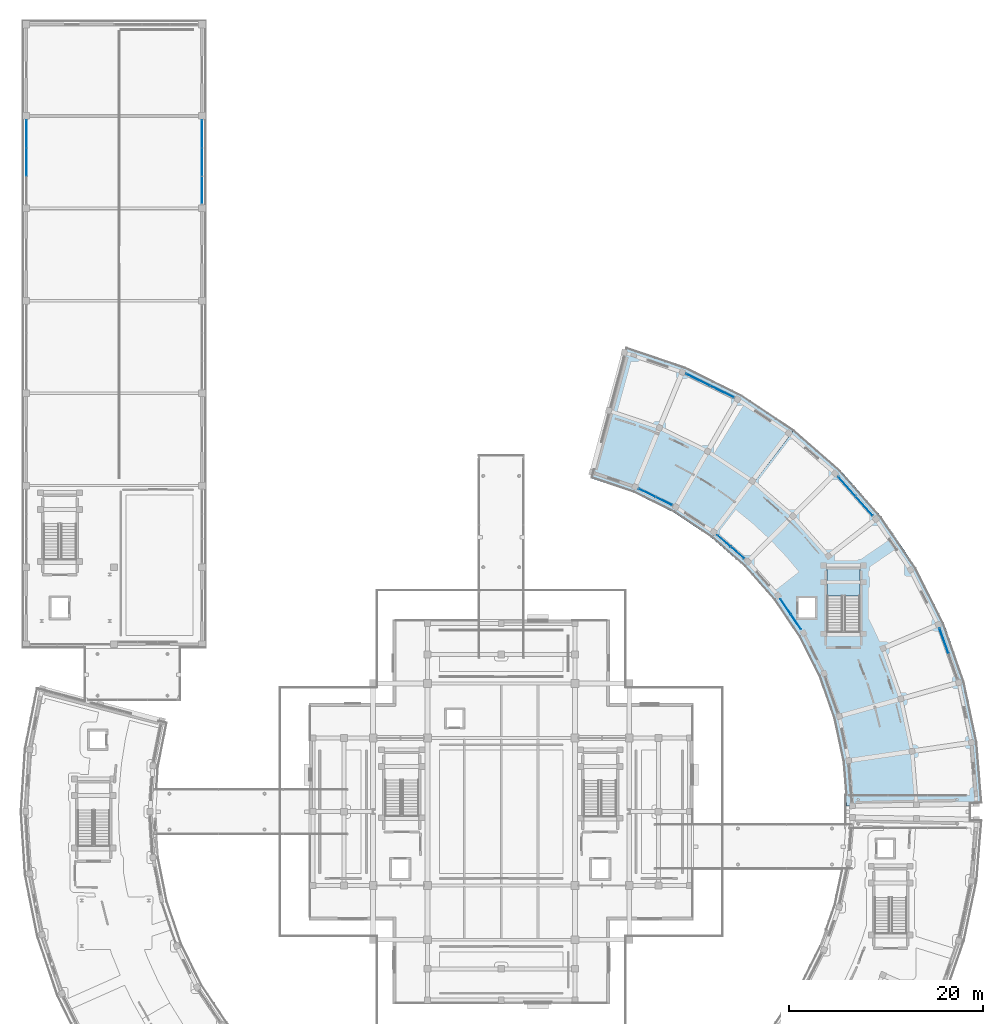
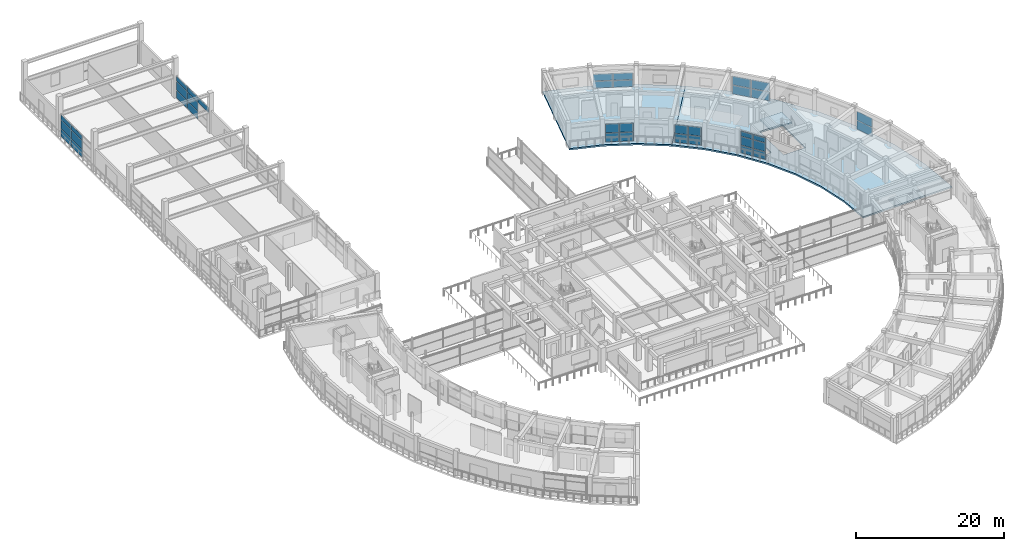
# One storey, part 42 of 72: 37 plates, 3 slabs, 9 elements without a shape of their own.
"""IFC4 building model written with IfcOpenShell, lengths in metres."""

from ifc_helpers import new_model, si_unit, direction, frame, origin, origin_2d, place, context, subcontext, project, spatial, polyline, rectangle, outline, extrude, material, layer, layer_set, type_object, element, aggregate, save


model = new_model("IFC4")

# Units and contexts
model_context = context("Model", 3, precision=1e-05, world=origin(), true_north=direction((0.0, 1.0)))
body_context = subcontext(model_context, "Body", "Model", "MODEL_VIEW")
ifc_project = project(units=[si_unit("LENGTHUNIT", "METRE"), si_unit("AREAUNIT", "SQUARE_METRE"), si_unit("VOLUMEUNIT", "CUBIC_METRE"), si_unit("PLANEANGLEUNIT", "RADIAN"), si_unit("MASSUNIT", "GRAM", prefix="KILO")], contexts=[model_context])

# Site, building, storey
site_placement = place(None, origin())
site = spatial("IfcSite", under=ifc_project, at=site_placement, CompositionType="ELEMENT")
building_placement = place(site_placement, origin())
building = spatial("IfcBuilding", under=site, at=building_placement, Name="Saryqyr Civic Hall", CompositionType="ELEMENT")
storey_placement = place(building_placement, frame((0.0, 0.0, 17.25)))
storey = spatial("IfcBuildingStorey", under=building, at=storey_placement, Name="L04", CompositionType="ELEMENT", Elevation=17.25)

# Curtain wall, plates
ifc_material_1 = material(Name="Anodised aluminium and triple low-E glass", Category="aluminium")
curtain_wall_type_1 = type_object("IfcCurtainWallType", Name="ENV-CW-STD-14", PredefinedType="NOTDEFINED", material=ifc_material_1)
curtain_wall_1_placement = place(storey_placement, origin())
curtain_wall_1 = element("IfcCurtainWall", 1, at=curtain_wall_1_placement, inside=storey, type_object=curtain_wall_type_1, Name="Curtain wall V6-CWO-L04-02", PredefinedType="NOTDEFINED")
ifc_material_2 = material(Name="Triple low-E insulated glazing", Category="glass")
ifc_layer_1 = layer(ifc_material_2, 0.053955078125, Name="Triple low-E insulated glazing")
ifc_layer_set_1 = layer_set([ifc_layer_1], Name="Triple low-E insulated glazing")
plate_type = type_object("IfcPlateType", Name="ENV-CW-PNL-38", PredefinedType="CURTAIN_PANEL", material=ifc_layer_set_1)
plate_1_placement = place(storey_placement, frame((102.6416015625, 101.599853515625, 0.06005859375), z_axis=(0.0, 0.0, 1.0), x_axis=(0.33318018147, -0.942863174949, 0.0)))
plate_1 = element("IfcPlate", 2, at=plate_1_placement, type_object=plate_type, Name="CW-14 panel 1.1", PredefinedType="CURTAIN_PANEL", context=body_context, shape_type="SweptSolid", body=[
    extrude(rectangle(XDim=2.713623046875, YDim=0.053955078125, at=origin_2d()), origin(), (0.0, 0.0, 1.0), 1.452880859375),
])
plate_2_placement = place(storey_placement, frame((102.6416015625, 101.599853515625, 1.5732421875), z_axis=(0.0, 0.0, 1.0), x_axis=(0.33318018147, -0.942863174949, 0.0)))
plate_2 = element("IfcPlate", 3, at=plate_2_placement, type_object=plate_type, Name="CW-14 panel 1.2", PredefinedType="CURTAIN_PANEL", context=body_context, shape_type="SweptSolid", body=[
    extrude(rectangle(XDim=2.713623046875, YDim=0.053955078125, at=origin_2d()), origin(), (0.0, 0.0, 1.0), 1.451904296875),
])
aggregate(curtain_wall_1, [plate_1, plate_2])

curtain_wall_type_2 = type_object("IfcCurtainWallType", Name="ENV-CW-STD-44", PredefinedType="NOTDEFINED", material=ifc_material_1)
curtain_wall_2_placement = place(storey_placement, origin())
curtain_wall_2 = element("IfcCurtainWall", 4, at=curtain_wall_2_placement, inside=storey, type_object=curtain_wall_type_2, Name="Curtain wall V6-CWI-L04-04", PredefinedType="NOTDEFINED")
plate_3_placement = place(storey_placement, frame((87.385986328125, 103.559326171875, 0.06005859375), z_axis=(0.0, 0.0, 1.0), x_axis=(-0.563129803105, 0.826368455869, 0.0)))
plate_3 = element("IfcPlate", 5, at=plate_3_placement, type_object=plate_type, Name="CW-44 panel 1.1", PredefinedType="CURTAIN_PANEL", context=body_context, shape_type="SweptSolid", body=[
    extrude(rectangle(XDim=1.836181640625, YDim=0.053955078125, at=origin_2d()), origin(), (0.0, 0.0, 1.0), 1.241943359375),
])
plate_4_placement = place(storey_placement, frame((87.385986328125, 103.559326171875, 1.362060546875), z_axis=(0.0, 0.0, 1.0), x_axis=(-0.563129803105, 0.826368455869, 0.0)))
plate_4 = element("IfcPlate", 6, at=plate_4_placement, type_object=plate_type, Name="CW-44 panel 1.2", PredefinedType="CURTAIN_PANEL", context=body_context, shape_type="SweptSolid", body=[
    extrude(rectangle(XDim=1.836181640625, YDim=0.053955078125, at=origin_2d()), origin(), (0.0, 0.0, 1.0), 1.419921875),
])
plate_5_placement = place(storey_placement, frame((87.385986328125, 103.559326171875, 2.841796875), z_axis=(0.0, 0.0, 1.0), x_axis=(-0.563129803105, 0.826368455869, 0.0)))
plate_5 = element("IfcPlate", 7, at=plate_5_placement, type_object=plate_type, Name="CW-44 panel 1.3", PredefinedType="CURTAIN_PANEL", context=body_context, shape_type="SweptSolid", body=[
    extrude(rectangle(XDim=1.836181640625, YDim=0.053955078125, at=origin_2d()), origin(), (0.0, 0.0, 1.0), 0.798095703125),
])
plate_6_placement = place(storey_placement, frame((86.318115234375, 105.126220703125, 0.06005859375), z_axis=(0.0, 0.0, 1.0), x_axis=(-0.563129803105, 0.826368455869, 0.0)))
plate_6 = element("IfcPlate", 8, at=plate_6_placement, type_object=plate_type, Name="CW-44 panel 2.1", PredefinedType="CURTAIN_PANEL", context=body_context, shape_type="SweptSolid", body=[
    extrude(rectangle(XDim=1.836181640625, YDim=0.053955078125, at=origin_2d()), origin(), (0.0, 0.0, 1.0), 1.241943359375),
])
plate_7_placement = place(storey_placement, frame((86.318115234375, 105.126220703125, 1.362060546875), z_axis=(0.0, 0.0, 1.0), x_axis=(-0.563129803105, 0.826368455869, 0.0)))
plate_7 = element("IfcPlate", 9, at=plate_7_placement, type_object=plate_type, Name="CW-44 panel 2.2", PredefinedType="CURTAIN_PANEL", context=body_context, shape_type="SweptSolid", body=[
    extrude(rectangle(XDim=1.836181640625, YDim=0.053955078125, at=origin_2d()), origin(), (0.0, 0.0, 1.0), 1.419921875),
])
plate_8_placement = place(storey_placement, frame((86.318115234375, 105.126220703125, 2.841796875), z_axis=(0.0, 0.0, 1.0), x_axis=(-0.563129803105, 0.826368455869, 0.0)))
plate_8 = element("IfcPlate", 10, at=plate_8_placement, type_object=plate_type, Name="CW-44 panel 2.3", PredefinedType="CURTAIN_PANEL", context=body_context, shape_type="SweptSolid", body=[
    extrude(rectangle(XDim=1.836181640625, YDim=0.053955078125, at=origin_2d()), origin(), (0.0, 0.0, 1.0), 0.798095703125),
])
aggregate(curtain_wall_2, [plate_3, plate_4, plate_5, plate_6, plate_7, plate_8])

curtain_wall_type_3 = type_object("IfcCurtainWallType", Name="ENV-CW-STD-36", PredefinedType="NOTDEFINED", material=ifc_material_1)
curtain_wall_3_placement = place(storey_placement, origin())
curtain_wall_3 = element("IfcCurtainWall", 11, at=curtain_wall_3_placement, inside=storey, type_object=curtain_wall_type_3, Name="Curtain wall V6-CWO-L04-05", PredefinedType="NOTDEFINED")
plate_9_placement = place(storey_placement, frame((92.631103515625, 117.514404296875, 0.06005859375), z_axis=(0.0, 0.0, 1.0), x_axis=(0.664934159467, -0.746901977219, 0.0)))
plate_9 = element("IfcPlate", 12, at=plate_9_placement, type_object=plate_type, Name="CW-36 panel 1.1", PredefinedType="CURTAIN_PANEL", context=body_context, shape_type="SweptSolid", body=[
    extrude(rectangle(XDim=2.618896484375, YDim=0.053955078125, at=origin_2d()), origin(), (0.0, 0.0, 1.0), 1.452880859375),
])
plate_10_placement = place(storey_placement, frame((92.631103515625, 117.514404296875, 1.5732421875), z_axis=(0.0, 0.0, 1.0), x_axis=(0.664934159467, -0.746901977219, 0.0)))
plate_10 = element("IfcPlate", 13, at=plate_10_placement, type_object=plate_type, Name="CW-36 panel 1.2", PredefinedType="CURTAIN_PANEL", context=body_context, shape_type="SweptSolid", body=[
    extrude(rectangle(XDim=2.618896484375, YDim=0.053955078125, at=origin_2d()), origin(), (0.0, 0.0, 1.0), 1.451904296875),
])
plate_11_placement = place(storey_placement, frame((94.412353515625, 115.513427734375, 0.06005859375), z_axis=(0.0, 0.0, 1.0), x_axis=(0.664934159467, -0.746901977219, 0.0)))
plate_11 = element("IfcPlate", 14, at=plate_11_placement, type_object=plate_type, Name="CW-36 panel 2.1", PredefinedType="CURTAIN_PANEL", context=body_context, shape_type="SweptSolid", body=[
    extrude(rectangle(XDim=2.618896484375, YDim=0.053955078125, at=origin_2d()), origin(), (0.0, 0.0, 1.0), 1.452880859375),
])
plate_12_placement = place(storey_placement, frame((94.412353515625, 115.513427734375, 1.5732421875), z_axis=(0.0, 0.0, 1.0), x_axis=(0.664934159467, -0.746901977219, 0.0)))
plate_12 = element("IfcPlate", 15, at=plate_12_placement, type_object=plate_type, Name="CW-36 panel 2.2", PredefinedType="CURTAIN_PANEL", context=body_context, shape_type="SweptSolid", body=[
    extrude(rectangle(XDim=2.618896484375, YDim=0.053955078125, at=origin_2d()), origin(), (0.0, 0.0, 1.0), 1.451904296875),
])
aggregate(curtain_wall_3, [plate_9, plate_10, plate_11, plate_12])

curtain_wall_type_4 = type_object("IfcCurtainWallType", Name="ENV-CW-STD-20", PredefinedType="NOTDEFINED", material=ifc_material_1)
curtain_wall_4_placement = place(storey_placement, origin())
curtain_wall_4 = element("IfcCurtainWall", 16, at=curtain_wall_4_placement, inside=storey, type_object=curtain_wall_type_4, Name="Curtain wall V6-CWI-L04-06", PredefinedType="NOTDEFINED")
plate_13_placement = place(storey_placement, frame((81.3623046875, 110.689208984375, 0.06005859375), z_axis=(0.0, 0.0, 1.0), x_axis=(-0.755651502076, 0.654973898267, 0.0)))
plate_13 = element("IfcPlate", 17, at=plate_13_placement, type_object=plate_type, Name="CW-20 panel 1.1", PredefinedType="CURTAIN_PANEL", context=body_context, shape_type="SweptSolid", body=[
    extrude(rectangle(XDim=1.797607421875, YDim=0.053955078125, at=origin_2d()), origin(), (0.0, 0.0, 1.0), 1.452880859375),
])
plate_14_placement = place(storey_placement, frame((81.3623046875, 110.689208984375, 1.5732421875), z_axis=(0.0, 0.0, 1.0), x_axis=(-0.755651502076, 0.654973898267, 0.0)))
plate_14 = element("IfcPlate", 18, at=plate_14_placement, type_object=plate_type, Name="CW-20 panel 1.2", PredefinedType="CURTAIN_PANEL", context=body_context, shape_type="SweptSolid", body=[
    extrude(rectangle(XDim=1.797607421875, YDim=0.053955078125, at=origin_2d()), origin(), (0.0, 0.0, 1.0), 1.451904296875),
])
plate_15_placement = place(storey_placement, frame((79.95849609375, 111.906005859375, 0.06005859375), z_axis=(0.0, 0.0, 1.0), x_axis=(-0.755651502076, 0.654973898267, 0.0)))
plate_15 = element("IfcPlate", 19, at=plate_15_placement, type_object=plate_type, Name="CW-20 panel 2.1", PredefinedType="CURTAIN_PANEL", context=body_context, shape_type="SweptSolid", body=[
    extrude(rectangle(XDim=1.797607421875, YDim=0.053955078125, at=origin_2d()), origin(), (0.0, 0.0, 1.0), 1.452880859375),
])
plate_16_placement = place(storey_placement, frame((79.95849609375, 111.906005859375, 1.5732421875), z_axis=(0.0, 0.0, 1.0), x_axis=(-0.755651502076, 0.654973898267, 0.0)))
plate_16 = element("IfcPlate", 20, at=plate_16_placement, type_object=plate_type, Name="CW-20 panel 2.2", PredefinedType="CURTAIN_PANEL", context=body_context, shape_type="SweptSolid", body=[
    extrude(rectangle(XDim=1.797607421875, YDim=0.053955078125, at=origin_2d()), origin(), (0.0, 0.0, 1.0), 1.451904296875),
])
aggregate(curtain_wall_4, [plate_13, plate_14, plate_15, plate_16])

curtain_wall_type_5 = type_object("IfcCurtainWallType", Name="ENV-CW-STD-03", PredefinedType="NOTDEFINED", material=ifc_material_1)
curtain_wall_5_placement = place(storey_placement, origin())
curtain_wall_5 = element("IfcCurtainWall", 21, at=curtain_wall_5_placement, inside=storey, type_object=curtain_wall_type_5, Name="Curtain wall V6-CWO-L04-08", PredefinedType="NOTDEFINED")
plate_17_placement = place(storey_placement, frame((77.280517578125, 128.514892578125, 0.06005859375), z_axis=(0.0, 0.0, 1.0), x_axis=(0.89797065456, -0.440055341463, 0.0)))
plate_17 = element("IfcPlate", 22, at=plate_17_placement, type_object=plate_type, Name="CW-03 panel 1.1", PredefinedType="CURTAIN_PANEL", context=body_context, shape_type="SweptSolid", body=[
    extrude(rectangle(XDim=2.695556640625, YDim=0.053955078125, at=origin_2d()), origin(), (0.0, 0.0, 1.0), 1.135009765625),
])
plate_18_placement = place(storey_placement, frame((77.280517578125, 128.514892578125, 1.2548828125), z_axis=(0.0, 0.0, 1.0), x_axis=(0.89797065456, -0.440055341463, 0.0)))
plate_18 = element("IfcPlate", 23, at=plate_18_placement, type_object=plate_type, Name="CW-03 panel 1.2", PredefinedType="CURTAIN_PANEL", context=body_context, shape_type="SweptSolid", body=[
    extrude(rectangle(XDim=2.695556640625, YDim=0.053955078125, at=origin_2d()), origin(), (0.0, 0.0, 1.0), 1.135009765625),
])
plate_19_placement = place(storey_placement, frame((79.7548828125, 127.302490234375, 0.06005859375), z_axis=(0.0, 0.0, 1.0), x_axis=(0.89797065456, -0.440055341463, 0.0)))
plate_19 = element("IfcPlate", 24, at=plate_19_placement, type_object=plate_type, Name="CW-03 panel 2.1", PredefinedType="CURTAIN_PANEL", context=body_context, shape_type="SweptSolid", body=[
    extrude(rectangle(XDim=2.695556640625, YDim=0.053955078125, at=origin_2d()), origin(), (0.0, 0.0, 1.0), 1.135009765625),
])
plate_20_placement = place(storey_placement, frame((79.7548828125, 127.302490234375, 1.2548828125), z_axis=(0.0, 0.0, 1.0), x_axis=(0.89797065456, -0.440055341463, 0.0)))
plate_20 = element("IfcPlate", 25, at=plate_20_placement, type_object=plate_type, Name="CW-03 panel 2.2", PredefinedType="CURTAIN_PANEL", context=body_context, shape_type="SweptSolid", body=[
    extrude(rectangle(XDim=2.695556640625, YDim=0.053955078125, at=origin_2d()), origin(), (0.0, 0.0, 1.0), 1.135009765625),
])
aggregate(curtain_wall_5, [plate_17, plate_18, plate_19, plate_20])

curtain_wall_type_6 = type_object("IfcCurtainWallType", Name="ENV-CW-STD-17", PredefinedType="NOTDEFINED", material=ifc_material_1)
curtain_wall_6_placement = place(storey_placement, origin())
curtain_wall_6 = element("IfcCurtainWall", 26, at=curtain_wall_6_placement, inside=storey, type_object=curtain_wall_type_6, Name="Curtain wall V6-CWI-L04-08", PredefinedType="NOTDEFINED")
plate_21_placement = place(storey_placement, frame((73.762939453125, 116.01416015625, 0.06005859375), z_axis=(0.0, 0.0, 1.0), x_axis=(-0.897961859945, 0.440073287175, 0.0)))
plate_21 = element("IfcPlate", 27, at=plate_21_placement, type_object=plate_type, Name="CW-17 panel 1.1", PredefinedType="CURTAIN_PANEL", context=body_context, shape_type="SweptSolid", body=[
    extrude(rectangle(XDim=1.868896484375, YDim=0.053955078125, at=origin_2d()), origin(), (0.0, 0.0, 1.0), 1.452880859375),
])
plate_22_placement = place(storey_placement, frame((73.762939453125, 116.01416015625, 1.5732421875), z_axis=(0.0, 0.0, 1.0), x_axis=(-0.897961859945, 0.440073287175, 0.0)))
plate_22 = element("IfcPlate", 28, at=plate_22_placement, type_object=plate_type, Name="CW-17 panel 1.2", PredefinedType="CURTAIN_PANEL", context=body_context, shape_type="SweptSolid", body=[
    extrude(rectangle(XDim=1.868896484375, YDim=0.053955078125, at=origin_2d()), origin(), (0.0, 0.0, 1.0), 1.451904296875),
])
plate_23_placement = place(storey_placement, frame((72.03076171875, 116.863037109375, 0.06005859375), z_axis=(0.0, 0.0, 1.0), x_axis=(-0.897961859945, 0.440073287175, 0.0)))
plate_23 = element("IfcPlate", 29, at=plate_23_placement, type_object=plate_type, Name="CW-17 panel 2.1", PredefinedType="CURTAIN_PANEL", context=body_context, shape_type="SweptSolid", body=[
    extrude(rectangle(XDim=1.868896484375, YDim=0.053955078125, at=origin_2d()), origin(), (0.0, 0.0, 1.0), 1.452880859375),
])
plate_24_placement = place(storey_placement, frame((72.03076171875, 116.863037109375, 1.5732421875), z_axis=(0.0, 0.0, 1.0), x_axis=(-0.897961859945, 0.440073287175, 0.0)))
plate_24 = element("IfcPlate", 30, at=plate_24_placement, type_object=plate_type, Name="CW-17 panel 2.2", PredefinedType="CURTAIN_PANEL", context=body_context, shape_type="SweptSolid", body=[
    extrude(rectangle(XDim=1.868896484375, YDim=0.053955078125, at=origin_2d()), origin(), (0.0, 0.0, 1.0), 1.451904296875),
])
aggregate(curtain_wall_6, [plate_21, plate_22, plate_23, plate_24])

curtain_wall_type_7 = type_object("IfcCurtainWallType", Name="ENV-CW-STD-55", PredefinedType="NOTDEFINED", material=ifc_material_1)
curtain_wall_7_placement = place(storey_placement, origin())
curtain_wall_7 = element("IfcCurtainWall", 31, at=curtain_wall_7_placement, inside=storey, type_object=curtain_wall_type_7, Name="Curtain wall V3-CW-L04-1-1", PredefinedType="NOTDEFINED")
plate_25_placement = place(storey_placement, frame((26.14990234375, 153.856689453125, 0.06005859375), z_axis=(0.0, 0.0, 1.0), x_axis=(0.0, -1.0, 0.0)))
plate_25 = element("IfcPlate", 32, at=plate_25_placement, type_object=plate_type, Name="CW-55 panel 1.1", PredefinedType="CURTAIN_PANEL", context=body_context, shape_type="SweptSolid", body=[
    extrude(rectangle(XDim=2.82666015625, YDim=0.053955078125, at=origin_2d()), origin(), (0.0, 0.0, 1.0), 1.241943359375),
])
plate_26_placement = place(storey_placement, frame((26.14990234375, 153.856689453125, 1.362060546875), z_axis=(0.0, 0.0, 1.0), x_axis=(0.0, -1.0, 0.0)))
plate_26 = element("IfcPlate", 33, at=plate_26_placement, type_object=plate_type, Name="CW-55 panel 1.2", PredefinedType="CURTAIN_PANEL", context=body_context, shape_type="SweptSolid", body=[
    extrude(rectangle(XDim=2.82666015625, YDim=0.053955078125, at=origin_2d()), origin(), (0.0, 0.0, 1.0), 1.419921875),
])
plate_27_placement = place(storey_placement, frame((26.14990234375, 153.856689453125, 2.841796875), z_axis=(0.0, 0.0, 1.0), x_axis=(0.0, -1.0, 0.0)))
plate_27 = element("IfcPlate", 34, at=plate_27_placement, type_object=plate_type, Name="CW-55 panel 1.3", PredefinedType="CURTAIN_PANEL", context=body_context, shape_type="SweptSolid", body=[
    extrude(rectangle(XDim=2.82666015625, YDim=0.053955078125, at=origin_2d()), origin(), (0.0, 0.0, 1.0), 0.798095703125),
])
plate_28_placement = place(storey_placement, frame((26.14990234375, 150.955078125, 0.06005859375), z_axis=(0.0, 0.0, 1.0), x_axis=(0.0, -1.0, 0.0)))
plate_28 = element("IfcPlate", 35, at=plate_28_placement, type_object=plate_type, Name="CW-55 panel 2.1", PredefinedType="CURTAIN_PANEL", context=body_context, shape_type="SweptSolid", body=[
    extrude(rectangle(XDim=2.856689453125, YDim=0.053955078125, at=origin_2d()), origin(), (0.0, 0.0, 1.0), 1.241943359375),
])
plate_29_placement = place(storey_placement, frame((26.14990234375, 150.955078125, 1.362060546875), z_axis=(0.0, 0.0, 1.0), x_axis=(0.0, -1.0, 0.0)))
plate_29 = element("IfcPlate", 36, at=plate_29_placement, type_object=plate_type, Name="CW-55 panel 2.2", PredefinedType="CURTAIN_PANEL", context=body_context, shape_type="SweptSolid", body=[
    extrude(rectangle(XDim=2.856689453125, YDim=0.053955078125, at=origin_2d()), origin(), (0.0, 0.0, 1.0), 1.419921875),
])
plate_30_placement = place(storey_placement, frame((26.14990234375, 150.955078125, 2.841796875), z_axis=(0.0, 0.0, 1.0), x_axis=(0.0, -1.0, 0.0)))
plate_30 = element("IfcPlate", 37, at=plate_30_placement, type_object=plate_type, Name="CW-55 panel 2.3", PredefinedType="CURTAIN_PANEL", context=body_context, shape_type="SweptSolid", body=[
    extrude(rectangle(XDim=2.856689453125, YDim=0.053955078125, at=origin_2d()), origin(), (0.0, 0.0, 1.0), 0.798095703125),
])
plate_31_placement = place(storey_placement, frame((26.14990234375, 148.05322265625, 2.841796875), z_axis=(0.0, 0.0, 1.0), x_axis=(0.0, -1.0, 0.0)))
plate_31 = element("IfcPlate", 38, at=plate_31_placement, type_object=plate_type, Name="CW-55 panel 3.3", PredefinedType="CURTAIN_PANEL", context=body_context, shape_type="SweptSolid", body=[
    extrude(rectangle(XDim=2.82666015625, YDim=0.053955078125, at=origin_2d()), origin(), (0.0, 0.0, 1.0), 0.798095703125),
])
aggregate(curtain_wall_7, [plate_25, plate_26, plate_27, plate_28, plate_29, plate_30, plate_31])

curtain_wall_8_placement = place(storey_placement, origin())
curtain_wall_8 = element("IfcCurtainWall", 39, at=curtain_wall_8_placement, inside=storey, type_object=curtain_wall_type_7, Name="Curtain wall V3-CW-L04-3-5", PredefinedType="NOTDEFINED")
plate_32_placement = place(storey_placement, frame((8.050048828125, 150.955078125, 0.06005859375), z_axis=(0.0, 0.0, 1.0), x_axis=(0.0, 1.0, 0.0)))
plate_32 = element("IfcPlate", 40, at=plate_32_placement, type_object=plate_type, Name="CW-55 panel 2.1", PredefinedType="CURTAIN_PANEL", context=body_context, shape_type="SweptSolid", body=[
    extrude(rectangle(XDim=2.856689453125, YDim=0.053955078125, at=origin_2d()), origin(), (0.0, 0.0, 1.0), 1.241943359375),
])
plate_33_placement = place(storey_placement, frame((8.050048828125, 150.955078125, 1.362060546875), z_axis=(0.0, 0.0, 1.0), x_axis=(0.0, 1.0, 0.0)))
plate_33 = element("IfcPlate", 41, at=plate_33_placement, type_object=plate_type, Name="CW-55 panel 2.2", PredefinedType="CURTAIN_PANEL", context=body_context, shape_type="SweptSolid", body=[
    extrude(rectangle(XDim=2.856689453125, YDim=0.053955078125, at=origin_2d()), origin(), (0.0, 0.0, 1.0), 1.419921875),
])
plate_34_placement = place(storey_placement, frame((8.050048828125, 150.955078125, 2.841796875), z_axis=(0.0, 0.0, 1.0), x_axis=(0.0, 1.0, 0.0)))
plate_34 = element("IfcPlate", 42, at=plate_34_placement, type_object=plate_type, Name="CW-55 panel 2.3", PredefinedType="CURTAIN_PANEL", context=body_context, shape_type="SweptSolid", body=[
    extrude(rectangle(XDim=2.856689453125, YDim=0.053955078125, at=origin_2d()), origin(), (0.0, 0.0, 1.0), 0.798095703125),
])
plate_35_placement = place(storey_placement, frame((8.050048828125, 153.856689453125, 0.06005859375), z_axis=(0.0, 0.0, 1.0), x_axis=(0.0, 1.0, 0.0)))
plate_35 = element("IfcPlate", 43, at=plate_35_placement, type_object=plate_type, Name="CW-55 panel 3.1", PredefinedType="CURTAIN_PANEL", context=body_context, shape_type="SweptSolid", body=[
    extrude(rectangle(XDim=2.82666015625, YDim=0.053955078125, at=origin_2d()), origin(), (0.0, 0.0, 1.0), 1.241943359375),
])
plate_36_placement = place(storey_placement, frame((8.050048828125, 153.856689453125, 1.362060546875), z_axis=(0.0, 0.0, 1.0), x_axis=(0.0, 1.0, 0.0)))
plate_36 = element("IfcPlate", 44, at=plate_36_placement, type_object=plate_type, Name="CW-55 panel 3.2", PredefinedType="CURTAIN_PANEL", context=body_context, shape_type="SweptSolid", body=[
    extrude(rectangle(XDim=2.82666015625, YDim=0.053955078125, at=origin_2d()), origin(), (0.0, 0.0, 1.0), 1.419921875),
])
plate_37_placement = place(storey_placement, frame((8.050048828125, 153.856689453125, 2.841796875), z_axis=(0.0, 0.0, 1.0), x_axis=(0.0, 1.0, 0.0)))
plate_37 = element("IfcPlate", 45, at=plate_37_placement, type_object=plate_type, Name="CW-55 panel 3.3", PredefinedType="CURTAIN_PANEL", context=body_context, shape_type="SweptSolid", body=[
    extrude(rectangle(XDim=2.82666015625, YDim=0.053955078125, at=origin_2d()), origin(), (0.0, 0.0, 1.0), 0.798095703125),
])
aggregate(curtain_wall_8, [plate_32, plate_33, plate_34, plate_35, plate_36, plate_37])

# Slabs
ifc_material_3 = material(Name="Concrete C35/45", Category="concrete")
ifc_layer_2 = layer(ifc_material_3, 0.260009765625, Name="Concrete C35/45")
ifc_layer_set_2 = layer_set([ifc_layer_2], Name="Concrete C35/45")
slab_type_1 = type_object("IfcSlabType", Name="STR-SLB-FLR-260", PredefinedType="FLOOR", material=ifc_layer_set_2)
slab_1_placement = place(storey_placement, frame((0.0, 0.0, -0.260009765625)))
element("IfcSlab", 46, at=slab_1_placement, inside=storey, type_object=slab_type_1, Name="Slab SLB-V6A-L04", PredefinedType="FLOOR", context=body_context, shape_type="SweptSolid", body=[
    extrude(outline(polyline([(92.225830078125, 89.14794921875), (91.275390625, 93.62060546875), (89.759521484375, 97.9345703125), (87.703125, 102.0185546875), (85.140380859375, 105.805419921875), (82.11328125, 109.232666015625), (78.671875, 112.243408203125), (87.194580078125, 123.350341796875), (91.9892578125, 119.155517578125), (96.206787109375, 114.380615234375), (99.777587890625, 109.1044921875), (102.642578125, 103.414306640625), (104.75439453125, 97.40380859375), (106.07861328125, 91.17236328125), (106.59326171875, 84.822509765625), (92.59521484375, 84.590087890625), (92.225830078125, 89.14794921875)]), holes=[polyline([(89.39990234375, 103.949951171875), (89.39990234375, 106.050048828125), (87.60009765625, 106.050048828125), (87.60009765625, 103.949951171875), (89.39990234375, 103.949951171875)]), polyline([(94.0, 109.0), (90.56005859375, 109.0), (90.56005859375, 102.6201171875), (94.0, 102.6201171875), (94.0, 109.0)])]), origin(), (0.0, 0.0, 1.0), 0.260009765625),
])
slab_2_placement = place(storey_placement, frame((0.0, 0.0, -0.260009765625)))
element("IfcSlab", 47, at=slab_2_placement, inside=storey, type_object=slab_type_1, Name="Slab SLB-V6B-L04", PredefinedType="FLOOR", context=body_context, shape_type="SweptSolid", body=[
    extrude(outline(polyline([(74.800048828125, 114.83056640625), (70.62353515625, 116.89013671875), (66.214111328125, 118.386962890625), (69.83740234375, 131.909912109375), (75.981201171875, 129.824462890625), (81.800048828125, 126.954833984375), (87.194580078125, 123.350341796875), (78.671875, 112.243408203125), (74.800048828125, 114.83056640625)])), origin(), (0.0, 0.0, 1.0), 0.260009765625),
])

# Stair, slab
stair_type = type_object("IfcStairType", Name="INT-STR-ST-6", PredefinedType="HALF_TURN_STAIR", material=ifc_material_3)
stair_placement = place(storey_placement, origin())
stair = element("IfcStair", 48, at=stair_placement, inside=storey, type_object=stair_type, Name="L04 Protected Exit Stair ST-6", PredefinedType="HALF_TURN_STAIR")
ifc_layer_3 = layer(ifc_material_3, 0.199951171875, Name="Concrete C35/45")
ifc_layer_set_3 = layer_set([ifc_layer_3], Name="Concrete C35/45")
slab_type_2 = type_object("IfcSlabType", Name="STR-SLB-LND-200", PredefinedType="LANDING", material=ifc_layer_set_3)
slab_3_placement = place(storey_placement, frame((0.0, 0.0, 1.824951171875)))
slab_3 = element("IfcSlab", 49, at=slab_3_placement, type_object=slab_type_2, Name="ST-6 landing 1", PredefinedType="LANDING", context=body_context, shape_type="SweptSolid", body=[
    extrude(outline(polyline([(94.0, 106.219970703125), (94.0, 109.0), (90.56005859375, 109.0), (90.56005859375, 106.219970703125), (94.0, 106.219970703125)])), origin(), (0.0, 0.0, 1.0), 0.199951171875),
])
aggregate(stair, [slab_3])

save(model, "model.ifc")
